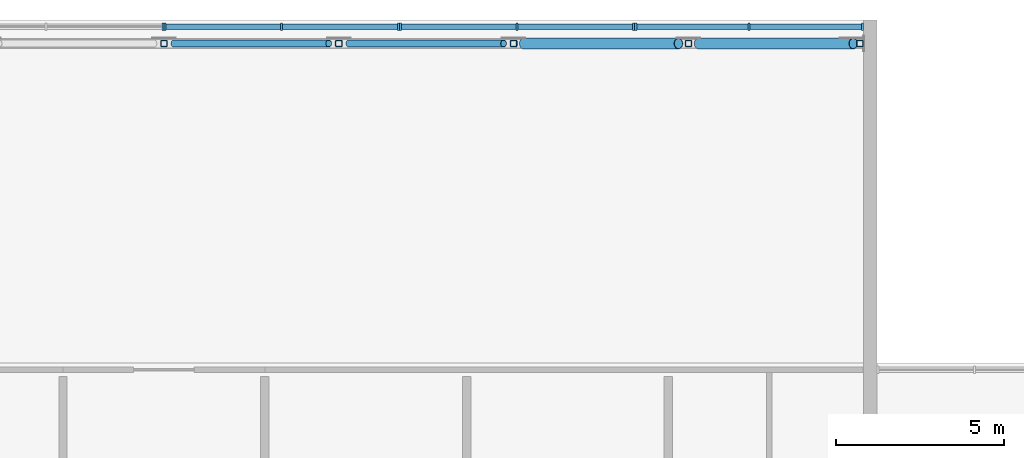
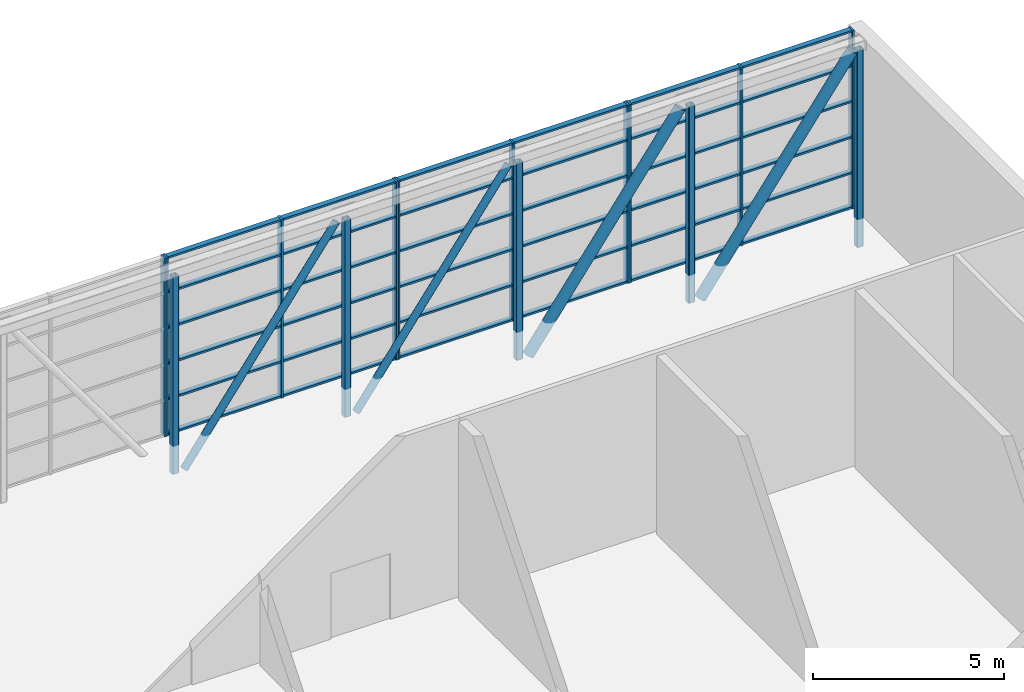
# One storey, part 5 of 17: 55 members, 4 elements without a shape of their own.
"""IFC4 building model written with IfcOpenShell, lengths in metres."""

from ifc_helpers import new_model, si_unit, direction, frame, origin, origin_2d, place, context, subcontext, project, spatial, rectangle, hollow_rectangle, hollow_circle, extrude, material, layer, layer_set, material_profile, profile_set, type_object, element, aggregate, save


model = new_model("IFC4")

# Units and contexts
model_context = context("Model", 3, precision=1e-05, world=origin(), true_north=direction((0.0, 1.0)))
body_context = subcontext(model_context, "Body", "Model", "MODEL_VIEW")
ifc_project = project(units=[si_unit("LENGTHUNIT", "METRE"), si_unit("AREAUNIT", "SQUARE_METRE"), si_unit("VOLUMEUNIT", "CUBIC_METRE"), si_unit("PLANEANGLEUNIT", "RADIAN"), si_unit("MASSUNIT", "GRAM", prefix="KILO")], contexts=[model_context])

# Site, building, storey
site_placement = place(None, origin())
site = spatial("IfcSite", under=ifc_project, at=site_placement, CompositionType="ELEMENT")
building_placement = place(site_placement, origin())
building = spatial("IfcBuilding", under=site, at=building_placement, Name="Poui Terraces", CompositionType="ELEMENT")
storey_placement = place(building_placement, frame((0.0, 0.0, 261.0)))
storey = spatial("IfcBuildingStorey", under=building, at=storey_placement, Name="L73", CompositionType="ELEMENT", Elevation=261.0)

# Curtain wall, member
ifc_material_1 = material(Name="Clear glass", Category="glass")
ifc_layer = layer(ifc_material_1, 0.219970703125)
ifc_layer_set = layer_set([ifc_layer], Name="Clear glass")
curtain_wall_type = type_object("IfcCurtainWallType", Name="CURTAIN WALL CW-E SKY LOUNGE GLAZING", PredefinedType="NOTDEFINED", material=ifc_layer_set)
curtain_wall_1_placement = place(storey_placement, origin())
curtain_wall_1 = element("IfcCurtainWall", 1, at=curtain_wall_1_placement, inside=storey, type_object=curtain_wall_type, Name="CW-E SKY LOUNGE GLAZING", PredefinedType="NOTDEFINED")
ifc_material_2 = material(Name="Aluminium frame", Category="aluminium")
ifc_material_profile_1 = material_profile(ifc_material_2, rectangle(XDim=0.219970703125, YDim=0.06005859375, at=origin_2d()), Name="CW-E MULLION 60X220")
ifc_profile_set_1 = profile_set([ifc_material_profile_1], Name="Aluminium frame")
member_type_1 = type_object("IfcMemberType", Name="CW-E MULLION 60X220", PredefinedType="MULLION", material=ifc_profile_set_1)
member_1_placement = place(storey_placement, frame((50.969970703125, 51.39990234375, 0.0), z_axis=(0.0, 0.0, 1.0), x_axis=(0.0, 1.0, 0.0)))
member_1 = element("IfcMember", 2, at=member_1_placement, type_object=member_type_1, Name="CW-E mullion 3", PredefinedType="MULLION", context=body_context, shape_type="SweptSolid", body=[
    extrude(rectangle(XDim=0.219970703125, YDim=0.06005859375, at=origin_2d()), origin(), (0.0, 0.0, 1.0), 5.699951171875),
])
aggregate(curtain_wall_1, [member_1])

# Curtain wall, members
curtain_wall_2_placement = place(storey_placement, origin())
curtain_wall_2 = element("IfcCurtainWall", 3, at=curtain_wall_2_placement, inside=storey, type_object=curtain_wall_type, Name="CW-E SKY LOUNGE GLAZING", PredefinedType="NOTDEFINED")
member_2_placement = place(storey_placement, frame((51.030029296875, 51.39990234375, 0.0), z_axis=(0.0, 0.0, 1.0), x_axis=(0.0, 1.0, 0.0)))
member_2 = element("IfcMember", 4, at=member_2_placement, type_object=member_type_1, Name="CW-E mullion 1", PredefinedType="MULLION", context=body_context, shape_type="SweptSolid", body=[
    extrude(rectangle(XDim=0.219970703125, YDim=0.06005859375, at=origin_2d()), origin(), (0.0, 0.0, 1.0), 5.699951171875),
])
member_3_placement = place(storey_placement, frame((54.5, 51.39990234375, 0.0), z_axis=(0.0, 0.0, 1.0), x_axis=(0.0, 1.0, 0.0)))
member_3 = element("IfcMember", 5, at=member_3_placement, type_object=member_type_1, Name="CW-E mullion 2", PredefinedType="MULLION", context=body_context, shape_type="SweptSolid", body=[
    extrude(rectangle(XDim=0.219970703125, YDim=0.06005859375, at=origin_2d()), origin(), (0.0, 0.0, 1.0), 5.699951171875),
])
member_4_placement = place(storey_placement, frame((57.969970703125, 51.39990234375, 0.0), z_axis=(0.0, 0.0, 1.0), x_axis=(0.0, 1.0, 0.0)))
member_4 = element("IfcMember", 6, at=member_4_placement, type_object=member_type_1, Name="CW-E mullion 3", PredefinedType="MULLION", context=body_context, shape_type="SweptSolid", body=[
    extrude(rectangle(XDim=0.219970703125, YDim=0.06005859375, at=origin_2d()), origin(), (0.0, 0.0, 1.0), 5.699951171875),
])

curtain_wall_3_placement = place(storey_placement, origin())
curtain_wall_3 = element("IfcCurtainWall", 7, at=curtain_wall_3_placement, inside=storey, type_object=curtain_wall_type, Name="CW-E SKY LOUNGE GLAZING", PredefinedType="NOTDEFINED")
member_5_placement = place(storey_placement, frame((58.030029296875, 51.39990234375, 0.0), z_axis=(0.0, 0.0, 1.0), x_axis=(0.0, 1.0, 0.0)))
member_5 = element("IfcMember", 8, at=member_5_placement, type_object=member_type_1, Name="CW-E mullion 1", PredefinedType="MULLION", context=body_context, shape_type="SweptSolid", body=[
    extrude(rectangle(XDim=0.219970703125, YDim=0.06005859375, at=origin_2d()), origin(), (0.0, 0.0, 1.0), 5.699951171875),
])
member_6_placement = place(storey_placement, frame((61.5, 51.39990234375, 0.0), z_axis=(0.0, 0.0, 1.0), x_axis=(0.0, 1.0, 0.0)))
member_6 = element("IfcMember", 9, at=member_6_placement, type_object=member_type_1, Name="CW-E mullion 2", PredefinedType="MULLION", context=body_context, shape_type="SweptSolid", body=[
    extrude(rectangle(XDim=0.219970703125, YDim=0.06005859375, at=origin_2d()), origin(), (0.0, 0.0, 1.0), 5.699951171875),
])
member_7_placement = place(storey_placement, frame((64.969970703125, 51.39990234375, 0.0), z_axis=(0.0, 0.0, 1.0), x_axis=(0.0, 1.0, 0.0)))
member_7 = element("IfcMember", 10, at=member_7_placement, type_object=member_type_1, Name="CW-E mullion 3", PredefinedType="MULLION", context=body_context, shape_type="SweptSolid", body=[
    extrude(rectangle(XDim=0.219970703125, YDim=0.06005859375, at=origin_2d()), origin(), (0.0, 0.0, 1.0), 5.699951171875),
])

curtain_wall_4_placement = place(storey_placement, origin())
curtain_wall_4 = element("IfcCurtainWall", 11, at=curtain_wall_4_placement, inside=storey, type_object=curtain_wall_type, Name="CW-E SKY LOUNGE GLAZING", PredefinedType="NOTDEFINED")
member_8_placement = place(storey_placement, frame((65.030029296875, 51.39990234375, 0.0), z_axis=(0.0, 0.0, 1.0), x_axis=(0.0, 1.0, 0.0)))
member_8 = element("IfcMember", 12, at=member_8_placement, type_object=member_type_1, Name="CW-E mullion 1", PredefinedType="MULLION", context=body_context, shape_type="SweptSolid", body=[
    extrude(rectangle(XDim=0.219970703125, YDim=0.06005859375, at=origin_2d()), origin(), (0.0, 0.0, 1.0), 5.699951171875),
])
member_9_placement = place(storey_placement, frame((68.39990234375, 51.39990234375, 0.0), z_axis=(0.0, 0.0, 1.0), x_axis=(0.0, 1.0, 0.0)))
member_9 = element("IfcMember", 13, at=member_9_placement, type_object=member_type_1, Name="CW-E mullion 2", PredefinedType="MULLION", context=body_context, shape_type="SweptSolid", body=[
    extrude(rectangle(XDim=0.219970703125, YDim=0.06005859375, at=origin_2d()), origin(), (0.0, 0.0, 1.0), 5.699951171875),
])
member_10_placement = place(storey_placement, frame((71.77001953125, 51.39990234375, 0.0), z_axis=(0.0, 0.0, 1.0), x_axis=(0.0, 1.0, 0.0)))
member_10 = element("IfcMember", 14, at=member_10_placement, type_object=member_type_1, Name="CW-E mullion 3", PredefinedType="MULLION", context=body_context, shape_type="SweptSolid", body=[
    extrude(rectangle(XDim=0.219970703125, YDim=0.06005859375, at=origin_2d()), origin(), (0.0, 0.0, 1.0), 5.699951171875),
])

# Member
ifc_material_profile_2 = material_profile(ifc_material_2, rectangle(XDim=0.159912109375, YDim=0.06005859375, at=origin_2d()), Name="CW-E TRANSOM 60X160")
ifc_profile_set_2 = profile_set([ifc_material_profile_2], Name="Aluminium frame")
member_type_2 = type_object("IfcMemberType", Name="CW-E TRANSOM 60X160", PredefinedType="USERDEFINED", material=ifc_profile_set_2)
member_11_placement = place(storey_placement, frame((51.06005859375, 51.39990234375, 0.030029296875), z_axis=(1.0, 0.0, 0.0), x_axis=(0.0, 1.0, 0.0)))
member_11 = element("IfcMember", 15, at=member_11_placement, type_object=member_type_2, Name="CW-E transom 1.1", ObjectType="TRANSOM", PredefinedType="USERDEFINED", context=body_context, shape_type="SweptSolid", body=[
    extrude(rectangle(XDim=0.159912109375, YDim=0.06005859375, at=origin_2d()), origin(), (0.0, 0.0, 1.0), 3.409912109375),
])

member_12_placement = place(storey_placement, frame((51.06005859375, 51.39990234375, 1.139892578125), z_axis=(1.0, 0.0, 0.0), x_axis=(0.0, 1.0, 0.0)))
member_12 = element("IfcMember", 16, at=member_12_placement, type_object=member_type_2, Name="CW-E transom 1.2", ObjectType="TRANSOM", PredefinedType="USERDEFINED", context=body_context, shape_type="SweptSolid", body=[
    extrude(rectangle(XDim=0.159912109375, YDim=0.06005859375, at=origin_2d()), origin(), (0.0, 0.0, 1.0), 3.409912109375),
])

member_13_placement = place(storey_placement, frame((51.06005859375, 51.39990234375, 2.280029296875), z_axis=(1.0, 0.0, 0.0), x_axis=(0.0, 1.0, 0.0)))
member_13 = element("IfcMember", 17, at=member_13_placement, type_object=member_type_2, Name="CW-E transom 1.3", ObjectType="TRANSOM", PredefinedType="USERDEFINED", context=body_context, shape_type="SweptSolid", body=[
    extrude(rectangle(XDim=0.159912109375, YDim=0.06005859375, at=origin_2d()), origin(), (0.0, 0.0, 1.0), 3.409912109375),
])

member_14_placement = place(storey_placement, frame((51.06005859375, 51.39990234375, 3.419921875), z_axis=(1.0, 0.0, 0.0), x_axis=(0.0, 1.0, 0.0)))
member_14 = element("IfcMember", 18, at=member_14_placement, type_object=member_type_2, Name="CW-E transom 1.4", ObjectType="TRANSOM", PredefinedType="USERDEFINED", context=body_context, shape_type="SweptSolid", body=[
    extrude(rectangle(XDim=0.159912109375, YDim=0.06005859375, at=origin_2d()), origin(), (0.0, 0.0, 1.0), 3.409912109375),
])

member_15_placement = place(storey_placement, frame((51.06005859375, 51.39990234375, 4.56005859375), z_axis=(1.0, 0.0, 0.0), x_axis=(0.0, 1.0, 0.0)))
member_15 = element("IfcMember", 19, at=member_15_placement, type_object=member_type_2, Name="CW-E transom 1.5", ObjectType="TRANSOM", PredefinedType="USERDEFINED", context=body_context, shape_type="SweptSolid", body=[
    extrude(rectangle(XDim=0.159912109375, YDim=0.06005859375, at=origin_2d()), origin(), (0.0, 0.0, 1.0), 3.409912109375),
])

member_16_placement = place(storey_placement, frame((51.06005859375, 51.39990234375, 5.669921875), z_axis=(1.0, 0.0, 0.0), x_axis=(0.0, 1.0, 0.0)))
member_16 = element("IfcMember", 20, at=member_16_placement, type_object=member_type_2, Name="CW-E transom 1.6", ObjectType="TRANSOM", PredefinedType="USERDEFINED", context=body_context, shape_type="SweptSolid", body=[
    extrude(rectangle(XDim=0.159912109375, YDim=0.06005859375, at=origin_2d()), origin(), (0.0, 0.0, 1.0), 3.409912109375),
])

member_17_placement = place(storey_placement, frame((54.530029296875, 51.39990234375, 0.030029296875), z_axis=(1.0, 0.0, 0.0), x_axis=(0.0, 1.0, 0.0)))
member_17 = element("IfcMember", 21, at=member_17_placement, type_object=member_type_2, Name="CW-E transom 2.1", ObjectType="TRANSOM", PredefinedType="USERDEFINED", context=body_context, shape_type="SweptSolid", body=[
    extrude(rectangle(XDim=0.159912109375, YDim=0.06005859375, at=origin_2d()), origin(), (0.0, 0.0, 1.0), 3.409912109375),
])

member_18_placement = place(storey_placement, frame((54.530029296875, 51.39990234375, 1.139892578125), z_axis=(1.0, 0.0, 0.0), x_axis=(0.0, 1.0, 0.0)))
member_18 = element("IfcMember", 22, at=member_18_placement, type_object=member_type_2, Name="CW-E transom 2.2", ObjectType="TRANSOM", PredefinedType="USERDEFINED", context=body_context, shape_type="SweptSolid", body=[
    extrude(rectangle(XDim=0.159912109375, YDim=0.06005859375, at=origin_2d()), origin(), (0.0, 0.0, 1.0), 3.409912109375),
])

member_19_placement = place(storey_placement, frame((54.530029296875, 51.39990234375, 2.280029296875), z_axis=(1.0, 0.0, 0.0), x_axis=(0.0, 1.0, 0.0)))
member_19 = element("IfcMember", 23, at=member_19_placement, type_object=member_type_2, Name="CW-E transom 2.3", ObjectType="TRANSOM", PredefinedType="USERDEFINED", context=body_context, shape_type="SweptSolid", body=[
    extrude(rectangle(XDim=0.159912109375, YDim=0.06005859375, at=origin_2d()), origin(), (0.0, 0.0, 1.0), 3.409912109375),
])

member_20_placement = place(storey_placement, frame((54.530029296875, 51.39990234375, 3.419921875), z_axis=(1.0, 0.0, 0.0), x_axis=(0.0, 1.0, 0.0)))
member_20 = element("IfcMember", 24, at=member_20_placement, type_object=member_type_2, Name="CW-E transom 2.4", ObjectType="TRANSOM", PredefinedType="USERDEFINED", context=body_context, shape_type="SweptSolid", body=[
    extrude(rectangle(XDim=0.159912109375, YDim=0.06005859375, at=origin_2d()), origin(), (0.0, 0.0, 1.0), 3.409912109375),
])

member_21_placement = place(storey_placement, frame((54.530029296875, 51.39990234375, 4.56005859375), z_axis=(1.0, 0.0, 0.0), x_axis=(0.0, 1.0, 0.0)))
member_21 = element("IfcMember", 25, at=member_21_placement, type_object=member_type_2, Name="CW-E transom 2.5", ObjectType="TRANSOM", PredefinedType="USERDEFINED", context=body_context, shape_type="SweptSolid", body=[
    extrude(rectangle(XDim=0.159912109375, YDim=0.06005859375, at=origin_2d()), origin(), (0.0, 0.0, 1.0), 3.409912109375),
])

member_22_placement = place(storey_placement, frame((54.530029296875, 51.39990234375, 5.669921875), z_axis=(1.0, 0.0, 0.0), x_axis=(0.0, 1.0, 0.0)))
member_22 = element("IfcMember", 26, at=member_22_placement, type_object=member_type_2, Name="CW-E transom 2.6", ObjectType="TRANSOM", PredefinedType="USERDEFINED", context=body_context, shape_type="SweptSolid", body=[
    extrude(rectangle(XDim=0.159912109375, YDim=0.06005859375, at=origin_2d()), origin(), (0.0, 0.0, 1.0), 3.409912109375),
])

aggregate(curtain_wall_2, [member_2, member_3, member_4, member_11, member_12, member_13, member_14, member_15, member_16, member_17, member_18, member_19, member_20, member_21, member_22])

member_23_placement = place(storey_placement, frame((58.06005859375, 51.39990234375, 0.030029296875), z_axis=(1.0, 0.0, 0.0), x_axis=(0.0, 1.0, 0.0)))
member_23 = element("IfcMember", 27, at=member_23_placement, type_object=member_type_2, Name="CW-E transom 1.1", ObjectType="TRANSOM", PredefinedType="USERDEFINED", context=body_context, shape_type="SweptSolid", body=[
    extrude(rectangle(XDim=0.159912109375, YDim=0.06005859375, at=origin_2d()), origin(), (0.0, 0.0, 1.0), 3.409912109375),
])

member_24_placement = place(storey_placement, frame((58.06005859375, 51.39990234375, 1.139892578125), z_axis=(1.0, 0.0, 0.0), x_axis=(0.0, 1.0, 0.0)))
member_24 = element("IfcMember", 28, at=member_24_placement, type_object=member_type_2, Name="CW-E transom 1.2", ObjectType="TRANSOM", PredefinedType="USERDEFINED", context=body_context, shape_type="SweptSolid", body=[
    extrude(rectangle(XDim=0.159912109375, YDim=0.06005859375, at=origin_2d()), origin(), (0.0, 0.0, 1.0), 3.409912109375),
])

member_25_placement = place(storey_placement, frame((58.06005859375, 51.39990234375, 2.280029296875), z_axis=(1.0, 0.0, 0.0), x_axis=(0.0, 1.0, 0.0)))
member_25 = element("IfcMember", 29, at=member_25_placement, type_object=member_type_2, Name="CW-E transom 1.3", ObjectType="TRANSOM", PredefinedType="USERDEFINED", context=body_context, shape_type="SweptSolid", body=[
    extrude(rectangle(XDim=0.159912109375, YDim=0.06005859375, at=origin_2d()), origin(), (0.0, 0.0, 1.0), 3.409912109375),
])

member_26_placement = place(storey_placement, frame((58.06005859375, 51.39990234375, 3.419921875), z_axis=(1.0, 0.0, 0.0), x_axis=(0.0, 1.0, 0.0)))
member_26 = element("IfcMember", 30, at=member_26_placement, type_object=member_type_2, Name="CW-E transom 1.4", ObjectType="TRANSOM", PredefinedType="USERDEFINED", context=body_context, shape_type="SweptSolid", body=[
    extrude(rectangle(XDim=0.159912109375, YDim=0.06005859375, at=origin_2d()), origin(), (0.0, 0.0, 1.0), 3.409912109375),
])

member_27_placement = place(storey_placement, frame((58.06005859375, 51.39990234375, 4.56005859375), z_axis=(1.0, 0.0, 0.0), x_axis=(0.0, 1.0, 0.0)))
member_27 = element("IfcMember", 31, at=member_27_placement, type_object=member_type_2, Name="CW-E transom 1.5", ObjectType="TRANSOM", PredefinedType="USERDEFINED", context=body_context, shape_type="SweptSolid", body=[
    extrude(rectangle(XDim=0.159912109375, YDim=0.06005859375, at=origin_2d()), origin(), (0.0, 0.0, 1.0), 3.409912109375),
])

member_28_placement = place(storey_placement, frame((58.06005859375, 51.39990234375, 5.669921875), z_axis=(1.0, 0.0, 0.0), x_axis=(0.0, 1.0, 0.0)))
member_28 = element("IfcMember", 32, at=member_28_placement, type_object=member_type_2, Name="CW-E transom 1.6", ObjectType="TRANSOM", PredefinedType="USERDEFINED", context=body_context, shape_type="SweptSolid", body=[
    extrude(rectangle(XDim=0.159912109375, YDim=0.06005859375, at=origin_2d()), origin(), (0.0, 0.0, 1.0), 3.409912109375),
])

member_29_placement = place(storey_placement, frame((61.530029296875, 51.39990234375, 0.030029296875), z_axis=(1.0, 0.0, 0.0), x_axis=(0.0, 1.0, 0.0)))
member_29 = element("IfcMember", 33, at=member_29_placement, type_object=member_type_2, Name="CW-E transom 2.1", ObjectType="TRANSOM", PredefinedType="USERDEFINED", context=body_context, shape_type="SweptSolid", body=[
    extrude(rectangle(XDim=0.159912109375, YDim=0.06005859375, at=origin_2d()), origin(), (0.0, 0.0, 1.0), 3.409912109375),
])

member_30_placement = place(storey_placement, frame((61.530029296875, 51.39990234375, 1.139892578125), z_axis=(1.0, 0.0, 0.0), x_axis=(0.0, 1.0, 0.0)))
member_30 = element("IfcMember", 34, at=member_30_placement, type_object=member_type_2, Name="CW-E transom 2.2", ObjectType="TRANSOM", PredefinedType="USERDEFINED", context=body_context, shape_type="SweptSolid", body=[
    extrude(rectangle(XDim=0.159912109375, YDim=0.06005859375, at=origin_2d()), origin(), (0.0, 0.0, 1.0), 3.409912109375),
])

member_31_placement = place(storey_placement, frame((61.530029296875, 51.39990234375, 2.280029296875), z_axis=(1.0, 0.0, 0.0), x_axis=(0.0, 1.0, 0.0)))
member_31 = element("IfcMember", 35, at=member_31_placement, type_object=member_type_2, Name="CW-E transom 2.3", ObjectType="TRANSOM", PredefinedType="USERDEFINED", context=body_context, shape_type="SweptSolid", body=[
    extrude(rectangle(XDim=0.159912109375, YDim=0.06005859375, at=origin_2d()), origin(), (0.0, 0.0, 1.0), 3.409912109375),
])

member_32_placement = place(storey_placement, frame((61.530029296875, 51.39990234375, 3.419921875), z_axis=(1.0, 0.0, 0.0), x_axis=(0.0, 1.0, 0.0)))
member_32 = element("IfcMember", 36, at=member_32_placement, type_object=member_type_2, Name="CW-E transom 2.4", ObjectType="TRANSOM", PredefinedType="USERDEFINED", context=body_context, shape_type="SweptSolid", body=[
    extrude(rectangle(XDim=0.159912109375, YDim=0.06005859375, at=origin_2d()), origin(), (0.0, 0.0, 1.0), 3.409912109375),
])

member_33_placement = place(storey_placement, frame((61.530029296875, 51.39990234375, 4.56005859375), z_axis=(1.0, 0.0, 0.0), x_axis=(0.0, 1.0, 0.0)))
member_33 = element("IfcMember", 37, at=member_33_placement, type_object=member_type_2, Name="CW-E transom 2.5", ObjectType="TRANSOM", PredefinedType="USERDEFINED", context=body_context, shape_type="SweptSolid", body=[
    extrude(rectangle(XDim=0.159912109375, YDim=0.06005859375, at=origin_2d()), origin(), (0.0, 0.0, 1.0), 3.409912109375),
])

member_34_placement = place(storey_placement, frame((61.530029296875, 51.39990234375, 5.669921875), z_axis=(1.0, 0.0, 0.0), x_axis=(0.0, 1.0, 0.0)))
member_34 = element("IfcMember", 38, at=member_34_placement, type_object=member_type_2, Name="CW-E transom 2.6", ObjectType="TRANSOM", PredefinedType="USERDEFINED", context=body_context, shape_type="SweptSolid", body=[
    extrude(rectangle(XDim=0.159912109375, YDim=0.06005859375, at=origin_2d()), origin(), (0.0, 0.0, 1.0), 3.409912109375),
])

aggregate(curtain_wall_3, [member_5, member_6, member_7, member_23, member_24, member_25, member_26, member_27, member_28, member_29, member_30, member_31, member_32, member_33, member_34])

member_35_placement = place(storey_placement, frame((65.06005859375, 51.39990234375, 0.030029296875), z_axis=(1.0, 0.0, 0.0), x_axis=(0.0, 1.0, 0.0)))
member_35 = element("IfcMember", 39, at=member_35_placement, type_object=member_type_2, Name="CW-E transom 1.1", ObjectType="TRANSOM", PredefinedType="USERDEFINED", context=body_context, shape_type="SweptSolid", body=[
    extrude(rectangle(XDim=0.159912109375, YDim=0.06005859375, at=origin_2d()), origin(), (0.0, 0.0, 1.0), 3.31005859375),
])

member_36_placement = place(storey_placement, frame((65.06005859375, 51.39990234375, 1.139892578125), z_axis=(1.0, 0.0, 0.0), x_axis=(0.0, 1.0, 0.0)))
member_36 = element("IfcMember", 40, at=member_36_placement, type_object=member_type_2, Name="CW-E transom 1.2", ObjectType="TRANSOM", PredefinedType="USERDEFINED", context=body_context, shape_type="SweptSolid", body=[
    extrude(rectangle(XDim=0.159912109375, YDim=0.06005859375, at=origin_2d()), origin(), (0.0, 0.0, 1.0), 3.31005859375),
])

member_37_placement = place(storey_placement, frame((65.06005859375, 51.39990234375, 2.280029296875), z_axis=(1.0, 0.0, 0.0), x_axis=(0.0, 1.0, 0.0)))
member_37 = element("IfcMember", 41, at=member_37_placement, type_object=member_type_2, Name="CW-E transom 1.3", ObjectType="TRANSOM", PredefinedType="USERDEFINED", context=body_context, shape_type="SweptSolid", body=[
    extrude(rectangle(XDim=0.159912109375, YDim=0.06005859375, at=origin_2d()), origin(), (0.0, 0.0, 1.0), 3.31005859375),
])

member_38_placement = place(storey_placement, frame((65.06005859375, 51.39990234375, 3.419921875), z_axis=(1.0, 0.0, 0.0), x_axis=(0.0, 1.0, 0.0)))
member_38 = element("IfcMember", 42, at=member_38_placement, type_object=member_type_2, Name="CW-E transom 1.4", ObjectType="TRANSOM", PredefinedType="USERDEFINED", context=body_context, shape_type="SweptSolid", body=[
    extrude(rectangle(XDim=0.159912109375, YDim=0.06005859375, at=origin_2d()), origin(), (0.0, 0.0, 1.0), 3.31005859375),
])

member_39_placement = place(storey_placement, frame((65.06005859375, 51.39990234375, 4.56005859375), z_axis=(1.0, 0.0, 0.0), x_axis=(0.0, 1.0, 0.0)))
member_39 = element("IfcMember", 43, at=member_39_placement, type_object=member_type_2, Name="CW-E transom 1.5", ObjectType="TRANSOM", PredefinedType="USERDEFINED", context=body_context, shape_type="SweptSolid", body=[
    extrude(rectangle(XDim=0.159912109375, YDim=0.06005859375, at=origin_2d()), origin(), (0.0, 0.0, 1.0), 3.31005859375),
])

member_40_placement = place(storey_placement, frame((65.06005859375, 51.39990234375, 5.669921875), z_axis=(1.0, 0.0, 0.0), x_axis=(0.0, 1.0, 0.0)))
member_40 = element("IfcMember", 44, at=member_40_placement, type_object=member_type_2, Name="CW-E transom 1.6", ObjectType="TRANSOM", PredefinedType="USERDEFINED", context=body_context, shape_type="SweptSolid", body=[
    extrude(rectangle(XDim=0.159912109375, YDim=0.06005859375, at=origin_2d()), origin(), (0.0, 0.0, 1.0), 3.31005859375),
])

member_41_placement = place(storey_placement, frame((68.429931640625, 51.39990234375, 0.030029296875), z_axis=(1.0, 0.0, 0.0), x_axis=(0.0, 1.0, 0.0)))
member_41 = element("IfcMember", 45, at=member_41_placement, type_object=member_type_2, Name="CW-E transom 2.1", ObjectType="TRANSOM", PredefinedType="USERDEFINED", context=body_context, shape_type="SweptSolid", body=[
    extrude(rectangle(XDim=0.159912109375, YDim=0.06005859375, at=origin_2d()), origin(), (0.0, 0.0, 1.0), 3.31005859375),
])

member_42_placement = place(storey_placement, frame((68.429931640625, 51.39990234375, 1.139892578125), z_axis=(1.0, 0.0, 0.0), x_axis=(0.0, 1.0, 0.0)))
member_42 = element("IfcMember", 46, at=member_42_placement, type_object=member_type_2, Name="CW-E transom 2.2", ObjectType="TRANSOM", PredefinedType="USERDEFINED", context=body_context, shape_type="SweptSolid", body=[
    extrude(rectangle(XDim=0.159912109375, YDim=0.06005859375, at=origin_2d()), origin(), (0.0, 0.0, 1.0), 3.31005859375),
])

member_43_placement = place(storey_placement, frame((68.429931640625, 51.39990234375, 2.280029296875), z_axis=(1.0, 0.0, 0.0), x_axis=(0.0, 1.0, 0.0)))
member_43 = element("IfcMember", 47, at=member_43_placement, type_object=member_type_2, Name="CW-E transom 2.3", ObjectType="TRANSOM", PredefinedType="USERDEFINED", context=body_context, shape_type="SweptSolid", body=[
    extrude(rectangle(XDim=0.159912109375, YDim=0.06005859375, at=origin_2d()), origin(), (0.0, 0.0, 1.0), 3.31005859375),
])

member_44_placement = place(storey_placement, frame((68.429931640625, 51.39990234375, 3.419921875), z_axis=(1.0, 0.0, 0.0), x_axis=(0.0, 1.0, 0.0)))
member_44 = element("IfcMember", 48, at=member_44_placement, type_object=member_type_2, Name="CW-E transom 2.4", ObjectType="TRANSOM", PredefinedType="USERDEFINED", context=body_context, shape_type="SweptSolid", body=[
    extrude(rectangle(XDim=0.159912109375, YDim=0.06005859375, at=origin_2d()), origin(), (0.0, 0.0, 1.0), 3.31005859375),
])

member_45_placement = place(storey_placement, frame((68.429931640625, 51.39990234375, 4.56005859375), z_axis=(1.0, 0.0, 0.0), x_axis=(0.0, 1.0, 0.0)))
member_45 = element("IfcMember", 49, at=member_45_placement, type_object=member_type_2, Name="CW-E transom 2.5", ObjectType="TRANSOM", PredefinedType="USERDEFINED", context=body_context, shape_type="SweptSolid", body=[
    extrude(rectangle(XDim=0.159912109375, YDim=0.06005859375, at=origin_2d()), origin(), (0.0, 0.0, 1.0), 3.31005859375),
])

member_46_placement = place(storey_placement, frame((68.429931640625, 51.39990234375, 5.669921875), z_axis=(1.0, 0.0, 0.0), x_axis=(0.0, 1.0, 0.0)))
member_46 = element("IfcMember", 50, at=member_46_placement, type_object=member_type_2, Name="CW-E transom 2.6", ObjectType="TRANSOM", PredefinedType="USERDEFINED", context=body_context, shape_type="SweptSolid", body=[
    extrude(rectangle(XDim=0.159912109375, YDim=0.06005859375, at=origin_2d()), origin(), (0.0, 0.0, 1.0), 3.31005859375),
])

aggregate(curtain_wall_4, [member_8, member_9, member_10, member_35, member_36, member_37, member_38, member_39, member_40, member_41, member_42, member_43, member_44, member_45, member_46])

# Members
ifc_material_3 = material(Name="Steel Grade 350 MPa", Category="steel")
ifc_material_profile_3 = material_profile(ifc_material_3, hollow_circle(Radius=0.109619140625, WallThickness=0.00830078125, at=origin_2d()), Name="219.1x8.2 CHS")
ifc_profile_set_3 = profile_set([ifc_material_profile_3], Name="Steel Grade 350 MPa")
member_type_3 = type_object("IfcMemberType", Name="TIP TRUSS DIAGONAL 219.1x8.2 CHS", PredefinedType="BRACE", material=ifc_profile_set_3)
member_47_placement = place(storey_placement, frame((51.300048828125, 50.89990234375, -0.89990234375), z_axis=(0.589694804909, 0.0, 0.807626174082), x_axis=(0.0, 1.0, 0.0)))
element("IfcMember", 51, at=member_47_placement, inside=storey, type_object=member_type_3, Name="TIP TRUSS DIAGONAL 5", PredefinedType="BRACE", context=body_context, shape_type="SweptSolid", body=[
    extrude(hollow_circle(Radius=0.109619140625, WallThickness=0.00830078125, at=origin_2d()), origin(), (0.0, 0.0, 1.0), 7.80029296875),
])
member_48_placement = place(storey_placement, frame((56.5, 50.89990234375, -0.89990234375), z_axis=(0.589715219097, 0.0, 0.807611268102), x_axis=(0.0, 1.0, 0.0)))
element("IfcMember", 52, at=member_48_placement, inside=storey, type_object=member_type_3, Name="TIP TRUSS DIAGONAL 6", PredefinedType="BRACE", context=body_context, shape_type="SweptSolid", body=[
    extrude(hollow_circle(Radius=0.109619140625, WallThickness=0.00830078125, at=origin_2d()), origin(), (0.0, 0.0, 1.0), 7.800537109375),
])
ifc_material_profile_4 = material_profile(ifc_material_3, hollow_circle(Radius=0.161865234375, WallThickness=0.0126953125, at=origin_2d()), Name="323.9x12.7 CHS")
ifc_profile_set_4 = profile_set([ifc_material_profile_4], Name="Steel Grade 350 MPa")
member_type_4 = type_object("IfcMemberType", Name="TIP TRUSS END DIAGONAL 323.9x12.7 CHS", PredefinedType="BRACE", material=ifc_profile_set_4)
for number, where, z_axis, x_axis, name in (
    (53, (61.699951171875, 50.89990234375, -0.89990234375), (0.589715219097, 0.0, 0.807611268102), (0.0, 1.0, 0.0), "TIP TRUSS DIAGONAL 7"),
    (54, (66.89990234375, 50.89990234375, -0.89990234375), (0.589715219097, 0.0, 0.807611268102), (0.0, 1.0, 0.0), "TIP TRUSS DIAGONAL 8"),
):
    element("IfcMember", number, at=place(storey_placement, frame(where, z_axis=z_axis, x_axis=x_axis)), inside=storey, type_object=member_type_4, Name=name, PredefinedType="BRACE", context=body_context, shape_type="SweptSolid", body=[
        extrude(hollow_circle(Radius=0.161865234375, WallThickness=0.0126953125, at=origin_2d()), origin(), (0.0, 0.0, 1.0), 7.800537109375),
    ])
ifc_material_profile_5 = material_profile(ifc_material_3, hollow_rectangle(XDim=0.199951171875, YDim=0.199951171875, WallThickness=0.01611328125, InnerFilletRadius=0.02392578125, OuterFilletRadius=0.0400390625, at=origin_2d()), Name="200x200x16.0 SHS")
ifc_profile_set_5 = profile_set([ifc_material_profile_5], Name="Steel Grade 350 MPa")
member_type_5 = type_object("IfcMemberType", Name="TIP TRUSS POST 200x200x16.0 SHS", PredefinedType="BRACE", material=ifc_profile_set_5)
for number, where, z_axis, x_axis, name in (
    (55, (51.0, 50.89990234375, -0.89990234375), (0.0, 0.0, 1.0), (1.0, 0.0, 0.0), "TIP TRUSS POST 5"),
    (56, (56.199951171875, 50.89990234375, -0.89990234375), (0.0, 0.0, 1.0), (1.0, 0.0, 0.0), "TIP TRUSS POST 6"),
    (57, (61.39990234375, 50.89990234375, -0.89990234375), (0.0, 0.0, 1.0), (1.0, 0.0, 0.0), "TIP TRUSS POST 7"),
    (58, (66.60009765625, 50.89990234375, -0.89990234375), (0.0, 0.0, 1.0), (1.0, 0.0, 0.0), "TIP TRUSS POST 8"),
    (59, (71.699951171875, 50.89990234375, -0.89990234375), (0.0, 0.0, 1.0), (1.0, 0.0, 0.0), "TIP TRUSS POST 9"),
):
    element("IfcMember", number, at=place(storey_placement, frame(where, z_axis=z_axis, x_axis=x_axis)), inside=storey, type_object=member_type_5, Name=name, PredefinedType="BRACE", context=body_context, shape_type="SweptSolid", body=[
        extrude(hollow_rectangle(XDim=0.199951171875, YDim=0.199951171875, WallThickness=0.01611328125, InnerFilletRadius=0.02392578125, OuterFilletRadius=0.0400390625, at=origin_2d()), origin(), (0.0, 0.0, 1.0), 6.2998046875),
    ])

save(model, "model.ifc")
